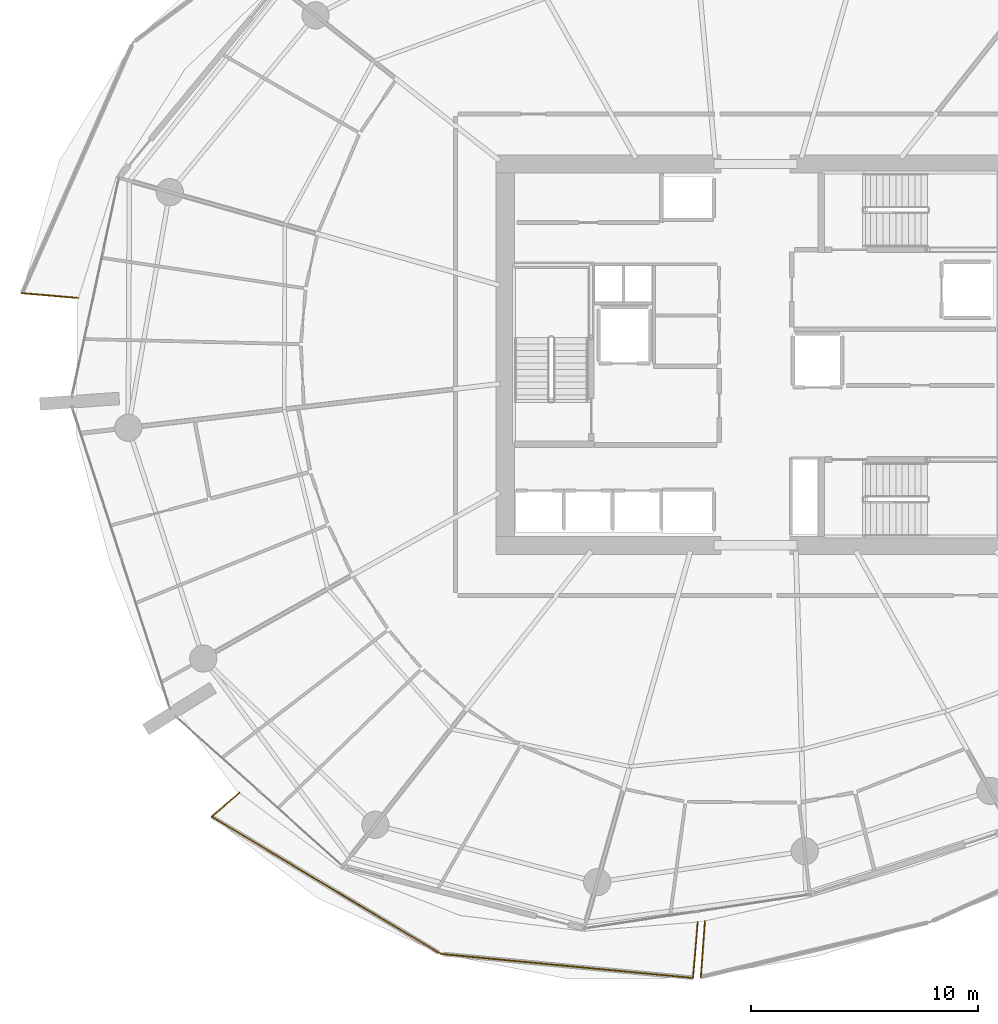
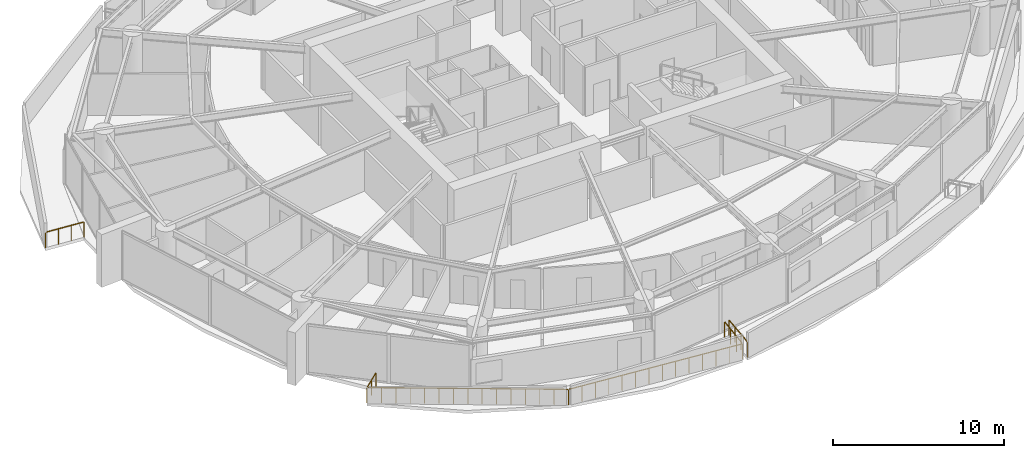
# One storey, part 17 of 23: 6 railings.
"""IFC4 building model written with IfcOpenShell, lengths in metres."""

from ifc_helpers import new_model, si_unit, direction, frame, origin, origin_2d, place, context, subcontext, project, spatial, rectangle, extrude, material, type_object, element, save


model = new_model("IFC4")

# Units and contexts
model_context = context("Model", 3, precision=1e-05, world=origin(), true_north=direction((0.0, 1.0)))
body_context = subcontext(model_context, "Body", "Model", "MODEL_VIEW")
ifc_project = project(units=[si_unit("LENGTHUNIT", "METRE"), si_unit("AREAUNIT", "SQUARE_METRE"), si_unit("VOLUMEUNIT", "CUBIC_METRE"), si_unit("PLANEANGLEUNIT", "RADIAN"), si_unit("MASSUNIT", "GRAM", prefix="KILO")], contexts=[model_context])

# Site, building, storey
site_placement = place(None, origin())
site = spatial("IfcSite", under=ifc_project, at=site_placement, CompositionType="ELEMENT")
building_placement = place(site_placement, origin())
building = spatial("IfcBuilding", under=site, at=building_placement, Name="Kazma Halo Residences", CompositionType="ELEMENT")
storey_placement = place(building_placement, frame((0.0, 0.0, 105.14990234375)))
storey = spatial("IfcBuildingStorey", under=building, at=storey_placement, Name="L26", CompositionType="ELEMENT", Elevation=105.14990234375)

# Railings
ifc_material = material(Name="Aluminium AW-6063 T6 Brushed Cap Rail", Category="aluminium")
railing_type = type_object("IfcRailingType", Name="RLG-BAL-CAP-1120", PredefinedType="BALUSTRADE", material=ifc_material)
railing_1_placement = place(storey_placement, frame((16.107666015625, 44.7060546875, 0.0)))
element("IfcRailing", 1, at=railing_1_placement, inside=storey, type_object=railing_type, Name="L26 NW wave balcony guard 4", PredefinedType="BALUSTRADE", context=body_context, shape_type="SweptSolid", body=[
    extrude(rectangle(XDim=0.050048828125, YDim=0.050048828125, at=origin_2d()), frame((0.04248046875, -0.003662109375, 1.09521484375), z_axis=(0.99641838817, -0.084560012511, 0.0), x_axis=(0.084560012511, 0.99641838817, 0.0)), (0.0, 0.0, 1.0), 2.409423828125),
    extrude(rectangle(XDim=0.0400390625, YDim=0.0400390625, at=origin_2d()), origin(), (0.0, 0.0, 1.0), 1.05810546875),
    extrude(rectangle(XDim=0.0400390625, YDim=0.0400390625, at=origin_2d()), frame((0.82861328125, -0.0703125, 0.0)), (0.0, 0.0, 1.0), 1.05810546875),
    extrude(rectangle(XDim=0.0400390625, YDim=0.0400390625, at=origin_2d()), frame((1.656982421875, -0.140625, 0.0)), (0.0, 0.0, 1.0), 1.05810546875),
    extrude(rectangle(XDim=0.0400390625, YDim=0.0400390625, at=origin_2d()), frame((2.485595703125, -0.2109375, 0.0)), (0.0, 0.0, 1.0), 1.05810546875),
])
railing_2_placement = place(storey_placement, frame((25.676025390625, 22.696533203125, 0.0)))
element("IfcRailing", 2, at=railing_2_placement, inside=storey, type_object=railing_type, Name="L26 SW wave balcony guard 1", PredefinedType="BALUSTRADE", context=body_context, shape_type="SweptSolid", body=[
    extrude(rectangle(XDim=0.050048828125, YDim=0.050048828125, at=origin_2d()), frame((-0.0322265625, -0.02783203125, 1.09521484375), z_axis=(-0.756438655116, -0.654064645923, 0.0), x_axis=(0.654064645923, -0.756438655116, 0.0)), (0.0, 0.0, 1.0), 1.51513671875),
    extrude(rectangle(XDim=0.0400390625, YDim=0.0400390625, at=origin_2d()), origin(), (0.0, 0.0, 1.0), 1.05810546875),
    extrude(rectangle(XDim=0.0400390625, YDim=0.0400390625, at=origin_2d()), frame((-0.605224609375, -0.5234375, 0.0)), (0.0, 0.0, 1.0), 1.05810546875),
    extrude(rectangle(XDim=0.0400390625, YDim=0.0400390625, at=origin_2d()), frame((-1.21044921875, -1.046630859375, 0.0)), (0.0, 0.0, 1.0), 1.05810546875),
])
railing_3_placement = place(storey_placement, frame((24.465576171875, 21.64990234375, 0.0)))
element("IfcRailing", 3, at=railing_3_placement, inside=storey, type_object=railing_type, Name="L26 SW wave balcony guard 2", PredefinedType="BALUSTRADE", context=body_context, shape_type="SweptSolid", body=[
    extrude(rectangle(XDim=0.050048828125, YDim=0.050048828125, at=origin_2d()), frame((0.036376953125, -0.02197265625, 1.09521484375), z_axis=(0.857731000846, -0.514098755288, 0.0), x_axis=(0.514098755288, 0.857731000846, 0.0)), (0.0, 0.0, 1.0), 11.673095703125),
    extrude(rectangle(XDim=0.0400390625, YDim=0.0400390625, at=origin_2d()), origin(), (0.0, 0.0, 1.0), 1.05810546875),
    extrude(rectangle(XDim=0.0400390625, YDim=0.0400390625, at=origin_2d()), frame((0.720458984375, -0.431884765625, 0.0)), (0.0, 0.0, 1.0), 1.05810546875),
    extrude(rectangle(XDim=0.0400390625, YDim=0.0400390625, at=origin_2d()), frame((1.440673828125, -0.863525390625, 0.0)), (0.0, 0.0, 1.0), 1.05810546875),
    extrude(rectangle(XDim=0.0400390625, YDim=0.0400390625, at=origin_2d()), frame((2.1611328125, -1.29541015625, 0.0)), (0.0, 0.0, 1.0), 1.05810546875),
    extrude(rectangle(XDim=0.0400390625, YDim=0.0400390625, at=origin_2d()), frame((2.881591796875, -1.72705078125, 0.0)), (0.0, 0.0, 1.0), 1.05810546875),
    extrude(rectangle(XDim=0.0400390625, YDim=0.0400390625, at=origin_2d()), frame((3.60205078125, -2.158935546875, 0.0)), (0.0, 0.0, 1.0), 1.05810546875),
    extrude(rectangle(XDim=0.0400390625, YDim=0.0400390625, at=origin_2d()), frame((4.322265625, -2.590576171875, 0.0)), (0.0, 0.0, 1.0), 1.05810546875),
    extrude(rectangle(XDim=0.0400390625, YDim=0.0400390625, at=origin_2d()), frame((5.042724609375, -3.0224609375, 0.0)), (0.0, 0.0, 1.0), 1.05810546875),
    extrude(rectangle(XDim=0.0400390625, YDim=0.0400390625, at=origin_2d()), frame((5.76318359375, -3.454345703125, 0.0)), (0.0, 0.0, 1.0), 1.05810546875),
    extrude(rectangle(XDim=0.0400390625, YDim=0.0400390625, at=origin_2d()), frame((6.4833984375, -3.885986328125, 0.0)), (0.0, 0.0, 1.0), 1.05810546875),
    extrude(rectangle(XDim=0.0400390625, YDim=0.0400390625, at=origin_2d()), frame((7.203857421875, -4.31787109375, 0.0)), (0.0, 0.0, 1.0), 1.05810546875),
    extrude(rectangle(XDim=0.0400390625, YDim=0.0400390625, at=origin_2d()), frame((7.92431640625, -4.74951171875, 0.0)), (0.0, 0.0, 1.0), 1.05810546875),
    extrude(rectangle(XDim=0.0400390625, YDim=0.0400390625, at=origin_2d()), frame((8.644775390625, -5.181396484375, 0.0)), (0.0, 0.0, 1.0), 1.05810546875),
    extrude(rectangle(XDim=0.0400390625, YDim=0.0400390625, at=origin_2d()), frame((9.364990234375, -5.613037109375, 0.0)), (0.0, 0.0, 1.0), 1.05810546875),
    extrude(rectangle(XDim=0.0400390625, YDim=0.0400390625, at=origin_2d()), frame((10.08544921875, -6.044921875, 0.0)), (0.0, 0.0, 1.0), 1.05810546875),
])
railing_4_placement = place(storey_placement, frame((34.551025390625, 15.60498046875, 0.0)))
element("IfcRailing", 4, at=railing_4_placement, inside=storey, type_object=railing_type, Name="L26 SW wave balcony guard 3", PredefinedType="BALUSTRADE", context=body_context, shape_type="SweptSolid", body=[
    extrude(rectangle(XDim=0.050048828125, YDim=0.050048828125, at=origin_2d()), frame((0.042236328125, -0.004150390625, 1.09521484375), z_axis=(0.995492623322, -0.094839005217, 0.0), x_axis=(0.094839005217, 0.995492623322, 0.0)), (0.0, 0.0, 1.0), 11.084716796875),
    extrude(rectangle(XDim=0.0400390625, YDim=0.0400390625, at=origin_2d()), origin(), (0.0, 0.0, 1.0), 1.05810546875),
    extrude(rectangle(XDim=0.0400390625, YDim=0.0400390625, at=origin_2d()), frame((0.855224609375, -0.08154296875, 0.0)), (0.0, 0.0, 1.0), 1.05810546875),
    extrude(rectangle(XDim=0.0400390625, YDim=0.0400390625, at=origin_2d()), frame((1.710693359375, -0.1630859375, 0.0)), (0.0, 0.0, 1.0), 1.05810546875),
    extrude(rectangle(XDim=0.0400390625, YDim=0.0400390625, at=origin_2d()), frame((2.56591796875, -0.244384765625, 0.0)), (0.0, 0.0, 1.0), 1.05810546875),
    extrude(rectangle(XDim=0.0400390625, YDim=0.0400390625, at=origin_2d()), frame((3.42138671875, -0.325927734375, 0.0)), (0.0, 0.0, 1.0), 1.05810546875),
    extrude(rectangle(XDim=0.0400390625, YDim=0.0400390625, at=origin_2d()), frame((4.276611328125, -0.407470703125, 0.0)), (0.0, 0.0, 1.0), 1.05810546875),
    extrude(rectangle(XDim=0.0400390625, YDim=0.0400390625, at=origin_2d()), frame((5.132080078125, -0.489013671875, 0.0)), (0.0, 0.0, 1.0), 1.05810546875),
    extrude(rectangle(XDim=0.0400390625, YDim=0.0400390625, at=origin_2d()), frame((5.9873046875, -0.5703125, 0.0)), (0.0, 0.0, 1.0), 1.05810546875),
    extrude(rectangle(XDim=0.0400390625, YDim=0.0400390625, at=origin_2d()), frame((6.8427734375, -0.65185546875, 0.0)), (0.0, 0.0, 1.0), 1.05810546875),
    extrude(rectangle(XDim=0.0400390625, YDim=0.0400390625, at=origin_2d()), frame((7.697998046875, -0.7333984375, 0.0)), (0.0, 0.0, 1.0), 1.05810546875),
    extrude(rectangle(XDim=0.0400390625, YDim=0.0400390625, at=origin_2d()), frame((8.553466796875, -0.81494140625, 0.0)), (0.0, 0.0, 1.0), 1.05810546875),
    extrude(rectangle(XDim=0.0400390625, YDim=0.0400390625, at=origin_2d()), frame((9.40869140625, -0.896240234375, 0.0)), (0.0, 0.0, 1.0), 1.05810546875),
    extrude(rectangle(XDim=0.0400390625, YDim=0.0400390625, at=origin_2d()), frame((10.26416015625, -0.977783203125, 0.0)), (0.0, 0.0, 1.0), 1.05810546875),
    extrude(rectangle(XDim=0.0400390625, YDim=0.0400390625, at=origin_2d()), frame((11.119384765625, -1.059326171875, 0.0)), (0.0, 0.0, 1.0), 1.05810546875),
])
railing_5_placement = place(storey_placement, frame((45.67041015625, 14.545654296875, 0.0)))
element("IfcRailing", 5, at=railing_5_placement, inside=storey, type_object=railing_type, Name="L26 SW wave balcony guard 4", PredefinedType="BALUSTRADE", context=body_context, shape_type="SweptSolid", body=[
    extrude(rectangle(XDim=0.050048828125, YDim=0.050048828125, at=origin_2d()), frame((0.003662109375, 0.04248046875, 1.09521484375), z_axis=(0.084582753674, 0.996416458004, 0.0), x_axis=(-0.996416458004, 0.084582753674, 0.0)), (0.0, 0.0, 1.0), 2.3857421875),
    extrude(rectangle(XDim=0.0400390625, YDim=0.0400390625, at=origin_2d()), origin(), (0.0, 0.0, 1.0), 1.05810546875),
    extrude(rectangle(XDim=0.0400390625, YDim=0.0400390625, at=origin_2d()), frame((0.069580078125, 0.820556640625, 0.0)), (0.0, 0.0, 1.0), 1.05810546875),
    extrude(rectangle(XDim=0.0400390625, YDim=0.0400390625, at=origin_2d()), frame((0.139404296875, 1.641357421875, 0.0)), (0.0, 0.0, 1.0), 1.05810546875),
    extrude(rectangle(XDim=0.0400390625, YDim=0.0400390625, at=origin_2d()), frame((0.208984375, 2.4619140625, 0.0)), (0.0, 0.0, 1.0), 1.05810546875),
])
railing_6_placement = place(storey_placement, frame((46.18994140625, 17.05419921875, 0.0)))
element("IfcRailing", 6, at=railing_6_placement, inside=storey, type_object=railing_type, Name="L26 SSE wave balcony guard 1", PredefinedType="BALUSTRADE", context=body_context, shape_type="SweptSolid", body=[
    extrude(rectangle(XDim=0.050048828125, YDim=0.050048828125, at=origin_2d()), frame((-0.003173828125, -0.04248046875, 1.09521484375), z_axis=(-0.072373633007, -0.997377590106, 0.0), x_axis=(0.997377590106, -0.072373633007, 0.0)), (0.0, 0.0, 1.0), 2.394287109375),
    extrude(rectangle(XDim=0.0400390625, YDim=0.0400390625, at=origin_2d()), origin(), (0.0, 0.0, 1.0), 1.05810546875),
    extrude(rectangle(XDim=0.0400390625, YDim=0.0400390625, at=origin_2d()), frame((-0.059814453125, -0.82421875, 0.0)), (0.0, 0.0, 1.0), 1.05810546875),
    extrude(rectangle(XDim=0.0400390625, YDim=0.0400390625, at=origin_2d()), frame((-0.11962890625, -1.648681640625, 0.0)), (0.0, 0.0, 1.0), 1.05810546875),
    extrude(rectangle(XDim=0.0400390625, YDim=0.0400390625, at=origin_2d()), frame((-0.179443359375, -2.472900390625, 0.0)), (0.0, 0.0, 1.0), 1.05810546875),
])

save(model, "model.ifc")
